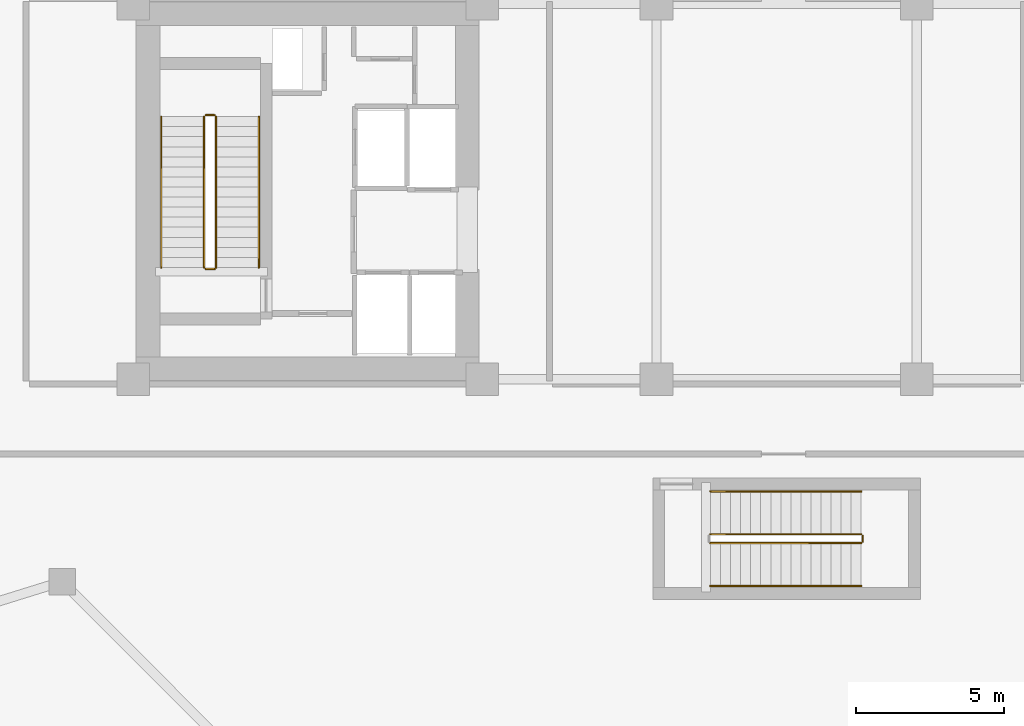
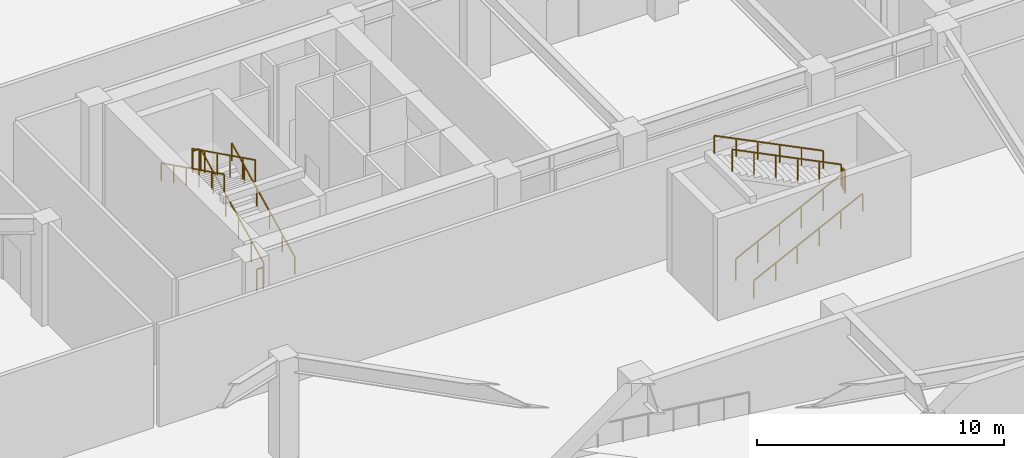
# One storey, part 10 of 11: 11 railings.
"""IFC4 building model written with IfcOpenShell, lengths in metres."""

from ifc_helpers import new_model, si_unit, direction, frame, origin, origin_2d, place, context, subcontext, project, spatial, rectangle, extrude, material, layer, layer_set, type_object, element, save


model = new_model("IFC4")

# Units and contexts
model_context = context("Model", 3, precision=1e-05, world=origin(), true_north=direction((0.0, 1.0)))
body_context = subcontext(model_context, "Body", "Model", "MODEL_VIEW")
ifc_project = project(units=[si_unit("LENGTHUNIT", "METRE"), si_unit("AREAUNIT", "SQUARE_METRE"), si_unit("VOLUMEUNIT", "CUBIC_METRE"), si_unit("PLANEANGLEUNIT", "RADIAN"), si_unit("MASSUNIT", "GRAM", prefix="KILO")], contexts=[model_context])

# Site, building, storey
site_placement = place(None, origin())
site = spatial("IfcSite", under=ifc_project, at=site_placement, CompositionType="ELEMENT")
building_placement = place(site_placement, origin())
building = spatial("IfcBuilding", under=site, at=building_placement, Name="Tavrogorsk Clinical Tower", CompositionType="ELEMENT")
storey_placement = place(building_placement, frame((0.0, 0.0, -5.39990234375)))
storey = spatial("IfcBuildingStorey", under=building, at=storey_placement, Name="B1", CompositionType="ELEMENT", Elevation=-5.39990234375)

# Railings
ifc_material_1 = material(Name="Galvanised steel S355 safety stairwell guard", Category="steel")
ifc_layer_1 = layer(ifc_material_1, 0.06005859375)
ifc_layer_set_1 = layer_set([ifc_layer_1], Name="Galvanised steel S355 safety stairwell guard")
railing_type_1 = type_object("IfcRailingType", Name="StairGuard_1150", PredefinedType="GUARDRAIL", material=ifc_layer_set_1)
railing_1_placement = place(storey_placement, frame((-19.300048828125, -2.574951171875, 0.168701171875)))
element("IfcRailing", 1, at=railing_1_placement, inside=storey, type_object=railing_type_1, Name="B1 ST-W stair guard 1", PredefinedType="GUARDRAIL", context=body_context, shape_type="SweptSolid", body=[
    extrude(rectangle(XDim=0.048095703125, YDim=0.048095703125, at=origin_2d()), frame((0.0, 0.0, 1.076171875), z_axis=(0.0, 0.895735491292, 0.444587370086), x_axis=(-1.0, 0.0, 0.0)), (0.0, 0.0, 1.0), 5.693603515625),
    extrude(rectangle(XDim=0.0419921875, YDim=0.0419921875, at=origin_2d()), origin(), (0.0, 0.0, 1.0), 1.052001953125),
    extrude(rectangle(XDim=0.0419921875, YDim=0.0419921875, at=origin_2d()), frame((0.0, 1.02001953125, 0.50634765625)), (0.0, 0.0, 1.0), 1.052001953125),
    extrude(rectangle(XDim=0.0419921875, YDim=0.0419921875, at=origin_2d()), frame((0.0, 2.0400390625, 1.012451171875)), (0.0, 0.0, 1.0), 1.052001953125),
    extrude(rectangle(XDim=0.0419921875, YDim=0.0419921875, at=origin_2d()), frame((0.0, 3.059814453125, 1.518798828125)), (0.0, 0.0, 1.0), 1.052001953125),
    extrude(rectangle(XDim=0.0419921875, YDim=0.0419921875, at=origin_2d()), frame((0.0, 4.079833984375, 2.02490234375)), (0.0, 0.0, 1.0), 1.052001953125),
    extrude(rectangle(XDim=0.0419921875, YDim=0.0419921875, at=origin_2d()), frame((0.0, 5.099853515625, 2.53125)), (0.0, 0.0, 1.0), 1.052001953125),
])
railing_2_placement = place(storey_placement, frame((-19.35009765625, 2.574951171875, 2.699951171875)))
element("IfcRailing", 2, at=railing_2_placement, inside=storey, type_object=railing_type_1, Name="B1 ST-W stair guard 2", PredefinedType="GUARDRAIL", context=body_context, shape_type="SweptSolid", body=[
    extrude(rectangle(XDim=0.048095703125, YDim=0.048095703125, at=origin_2d()), frame((0.0, 0.0, 1.076171875), z_axis=(-1.0, 0.0, 0.0), x_axis=(0.0, -1.0, 0.0)), (0.0, 0.0, 1.0), 0.2998046875),
    extrude(rectangle(XDim=0.0419921875, YDim=0.0419921875, at=origin_2d()), origin(), (0.0, 0.0, 1.0), 1.052001953125),
    extrude(rectangle(XDim=0.0419921875, YDim=0.0419921875, at=origin_2d()), frame((-0.2998046875, 0.0, 0.0)), (0.0, 0.0, 1.0), 1.052001953125),
])
railing_3_placement = place(storey_placement, frame((-19.699951171875, 2.52490234375, 2.86865234375)))
element("IfcRailing", 3, at=railing_3_placement, inside=storey, type_object=railing_type_1, Name="B1 ST-W stair guard 3", PredefinedType="GUARDRAIL", context=body_context, shape_type="SweptSolid", body=[
    extrude(rectangle(XDim=0.048095703125, YDim=0.048095703125, at=origin_2d()), frame((0.0, 0.0, 1.076171875), z_axis=(0.0, -0.895735491292, 0.444587370086), x_axis=(1.0, 0.0, 0.0)), (0.0, 0.0, 1.0), 5.693603515625),
    extrude(rectangle(XDim=0.0419921875, YDim=0.0419921875, at=origin_2d()), origin(), (0.0, 0.0, 1.0), 1.052001953125),
    extrude(rectangle(XDim=0.0419921875, YDim=0.0419921875, at=origin_2d()), frame((0.0, -1.02001953125, 0.50634765625)), (0.0, 0.0, 1.0), 1.052001953125),
    extrude(rectangle(XDim=0.0419921875, YDim=0.0419921875, at=origin_2d()), frame((0.0, -2.0400390625, 1.012451171875)), (0.0, 0.0, 1.0), 1.052001953125),
    extrude(rectangle(XDim=0.0419921875, YDim=0.0419921875, at=origin_2d()), frame((0.0, -3.059814453125, 1.518798828125)), (0.0, 0.0, 1.0), 1.052001953125),
    extrude(rectangle(XDim=0.0419921875, YDim=0.0419921875, at=origin_2d()), frame((0.0, -4.079833984375, 2.02490234375)), (0.0, 0.0, 1.0), 1.052001953125),
    extrude(rectangle(XDim=0.0419921875, YDim=0.0419921875, at=origin_2d()), frame((0.0, -5.099853515625, 2.53125)), (0.0, 0.0, 1.0), 1.052001953125),
])
railing_4_placement = place(storey_placement, frame((-19.35009765625, -2.625, 0.0)))
element("IfcRailing", 4, at=railing_4_placement, inside=storey, type_object=railing_type_1, Name="B1 ST-W stair guard 4", PredefinedType="GUARDRAIL", context=body_context, shape_type="SweptSolid", body=[
    extrude(rectangle(XDim=0.048095703125, YDim=0.048095703125, at=origin_2d()), frame((0.0, 0.0, 1.076171875), z_axis=(-1.0, 0.0, 0.0), x_axis=(0.0, -1.0, 0.0)), (0.0, 0.0, 1.0), 0.2998046875),
    extrude(rectangle(XDim=0.0419921875, YDim=0.0419921875, at=origin_2d()), origin(), (0.0, 0.0, 1.0), 1.052001953125),
    extrude(rectangle(XDim=0.0419921875, YDim=0.0419921875, at=origin_2d()), frame((-0.2998046875, 0.0, 0.0)), (0.0, 0.0, 1.0), 1.052001953125),
])
railing_5_placement = place(storey_placement, frame((-2.574951171875, -11.89990234375, 0.168701171875)))
element("IfcRailing", 5, at=railing_5_placement, inside=storey, type_object=railing_type_1, Name="B1 ST-P stair guard 1", PredefinedType="GUARDRAIL", context=body_context, shape_type="SweptSolid", body=[
    extrude(rectangle(XDim=0.048095703125, YDim=0.048095703125, at=origin_2d()), frame((0.0, 0.0, 1.076171875), z_axis=(0.895735491292, 0.0, 0.444587370086), x_axis=(0.0, 1.0, 0.0)), (0.0, 0.0, 1.0), 5.693603515625),
    extrude(rectangle(XDim=0.0419921875, YDim=0.0419921875, at=origin_2d()), origin(), (0.0, 0.0, 1.0), 1.052001953125),
    extrude(rectangle(XDim=0.0419921875, YDim=0.0419921875, at=origin_2d()), frame((1.02001953125, 0.0, 0.50634765625)), (0.0, 0.0, 1.0), 1.052001953125),
    extrude(rectangle(XDim=0.0419921875, YDim=0.0419921875, at=origin_2d()), frame((2.0400390625, 0.0, 1.012451171875)), (0.0, 0.0, 1.0), 1.052001953125),
    extrude(rectangle(XDim=0.0419921875, YDim=0.0419921875, at=origin_2d()), frame((3.059814453125, 0.0, 1.518798828125)), (0.0, 0.0, 1.0), 1.052001953125),
    extrude(rectangle(XDim=0.0419921875, YDim=0.0419921875, at=origin_2d()), frame((4.079833984375, 0.0, 2.02490234375)), (0.0, 0.0, 1.0), 1.052001953125),
    extrude(rectangle(XDim=0.0419921875, YDim=0.0419921875, at=origin_2d()), frame((5.099853515625, 0.0, 2.53125)), (0.0, 0.0, 1.0), 1.052001953125),
])
railing_6_placement = place(storey_placement, frame((2.574951171875, -11.85009765625, 2.699951171875)))
element("IfcRailing", 6, at=railing_6_placement, inside=storey, type_object=railing_type_1, Name="B1 ST-P stair guard 2", PredefinedType="GUARDRAIL", context=body_context, shape_type="SweptSolid", body=[
    extrude(rectangle(XDim=0.048095703125, YDim=0.048095703125, at=origin_2d()), frame((0.0, 0.0, 1.076171875), z_axis=(0.0, 1.0, 0.0), x_axis=(-1.0, 0.0, 0.0)), (0.0, 0.0, 1.0), 0.2001953125),
    extrude(rectangle(XDim=0.0419921875, YDim=0.0419921875, at=origin_2d()), origin(), (0.0, 0.0, 1.0), 1.052001953125),
    extrude(rectangle(XDim=0.0419921875, YDim=0.0419921875, at=origin_2d()), frame((0.0, 0.2001953125, 0.0)), (0.0, 0.0, 1.0), 1.052001953125),
])
railing_7_placement = place(storey_placement, frame((2.52490234375, -11.60009765625, 2.86865234375)))
element("IfcRailing", 7, at=railing_7_placement, inside=storey, type_object=railing_type_1, Name="B1 ST-P stair guard 3", PredefinedType="GUARDRAIL", context=body_context, shape_type="SweptSolid", body=[
    extrude(rectangle(XDim=0.048095703125, YDim=0.048095703125, at=origin_2d()), frame((0.0, 0.0, 1.076171875), z_axis=(-0.895735491292, 0.0, 0.444587370086), x_axis=(0.0, -1.0, 0.0)), (0.0, 0.0, 1.0), 5.693603515625),
    extrude(rectangle(XDim=0.0419921875, YDim=0.0419921875, at=origin_2d()), origin(), (0.0, 0.0, 1.0), 1.052001953125),
    extrude(rectangle(XDim=0.0419921875, YDim=0.0419921875, at=origin_2d()), frame((-1.02001953125, 0.0, 0.50634765625)), (0.0, 0.0, 1.0), 1.052001953125),
    extrude(rectangle(XDim=0.0419921875, YDim=0.0419921875, at=origin_2d()), frame((-2.0400390625, 0.0, 1.012451171875)), (0.0, 0.0, 1.0), 1.052001953125),
    extrude(rectangle(XDim=0.0419921875, YDim=0.0419921875, at=origin_2d()), frame((-3.059814453125, 0.0, 1.518798828125)), (0.0, 0.0, 1.0), 1.052001953125),
    extrude(rectangle(XDim=0.0419921875, YDim=0.0419921875, at=origin_2d()), frame((-4.079833984375, 0.0, 2.02490234375)), (0.0, 0.0, 1.0), 1.052001953125),
    extrude(rectangle(XDim=0.0419921875, YDim=0.0419921875, at=origin_2d()), frame((-5.099853515625, 0.0, 2.53125)), (0.0, 0.0, 1.0), 1.052001953125),
])
ifc_material_2 = material(Name="Stainless steel AISI 304 tubular handrail", Category="steel")
ifc_layer_2 = layer(ifc_material_2, 0.050048828125)
ifc_layer_set_2 = layer_set([ifc_layer_2], Name="Stainless steel AISI 304 tubular handrail")
railing_type_2 = type_object("IfcRailingType", Name="StairHandrail_920", PredefinedType="HANDRAIL", material=ifc_layer_set_2)
railing_8_placement = place(storey_placement, frame((-17.85009765625, -2.574951171875, 0.168701171875)))
element("IfcRailing", 8, at=railing_8_placement, inside=storey, type_object=railing_type_2, Name="B1 ST-W stair handrail 1", PredefinedType="HANDRAIL", context=body_context, shape_type="SweptSolid", body=[
    extrude(rectangle(XDim=0.048095703125, YDim=0.048095703125, at=origin_2d()), frame((0.0, 0.0, 0.8759765625), z_axis=(0.0, 0.895735491292, 0.444587370086), x_axis=(-1.0, 0.0, 0.0)), (0.0, 0.0, 1.0), 5.693603515625),
    extrude(rectangle(XDim=0.0419921875, YDim=0.0419921875, at=origin_2d()), origin(), (0.0, 0.0, 1.0), 0.851806640625),
    extrude(rectangle(XDim=0.0419921875, YDim=0.0419921875, at=origin_2d()), frame((0.0, 1.02001953125, 0.50634765625)), (0.0, 0.0, 1.0), 0.851806640625),
    extrude(rectangle(XDim=0.0419921875, YDim=0.0419921875, at=origin_2d()), frame((0.0, 2.0400390625, 1.012451171875)), (0.0, 0.0, 1.0), 0.851806640625),
    extrude(rectangle(XDim=0.0419921875, YDim=0.0419921875, at=origin_2d()), frame((0.0, 3.059814453125, 1.518798828125)), (0.0, 0.0, 1.0), 0.851806640625),
    extrude(rectangle(XDim=0.0419921875, YDim=0.0419921875, at=origin_2d()), frame((0.0, 4.079833984375, 2.02490234375)), (0.0, 0.0, 1.0), 0.851806640625),
    extrude(rectangle(XDim=0.0419921875, YDim=0.0419921875, at=origin_2d()), frame((0.0, 5.099853515625, 2.53125)), (0.0, 0.0, 1.0), 0.851806640625),
])
railing_9_placement = place(storey_placement, frame((-21.14990234375, 2.52490234375, 2.86865234375)))
element("IfcRailing", 9, at=railing_9_placement, inside=storey, type_object=railing_type_2, Name="B1 ST-W stair handrail 2", PredefinedType="HANDRAIL", context=body_context, shape_type="SweptSolid", body=[
    extrude(rectangle(XDim=0.048095703125, YDim=0.048095703125, at=origin_2d()), frame((0.0, 0.0, 0.8759765625), z_axis=(0.0, -0.895735491292, 0.444587370086), x_axis=(1.0, 0.0, 0.0)), (0.0, 0.0, 1.0), 5.693603515625),
    extrude(rectangle(XDim=0.0419921875, YDim=0.0419921875, at=origin_2d()), origin(), (0.0, 0.0, 1.0), 0.851806640625),
    extrude(rectangle(XDim=0.0419921875, YDim=0.0419921875, at=origin_2d()), frame((0.0, -1.02001953125, 0.50634765625)), (0.0, 0.0, 1.0), 0.851806640625),
    extrude(rectangle(XDim=0.0419921875, YDim=0.0419921875, at=origin_2d()), frame((0.0, -2.0400390625, 1.012451171875)), (0.0, 0.0, 1.0), 0.851806640625),
    extrude(rectangle(XDim=0.0419921875, YDim=0.0419921875, at=origin_2d()), frame((0.0, -3.059814453125, 1.518798828125)), (0.0, 0.0, 1.0), 0.851806640625),
    extrude(rectangle(XDim=0.0419921875, YDim=0.0419921875, at=origin_2d()), frame((0.0, -4.079833984375, 2.02490234375)), (0.0, 0.0, 1.0), 0.851806640625),
    extrude(rectangle(XDim=0.0419921875, YDim=0.0419921875, at=origin_2d()), frame((0.0, -5.099853515625, 2.53125)), (0.0, 0.0, 1.0), 0.851806640625),
])
railing_10_placement = place(storey_placement, frame((-2.574951171875, -13.35009765625, 0.168701171875)))
element("IfcRailing", 10, at=railing_10_placement, inside=storey, type_object=railing_type_2, Name="B1 ST-P stair handrail 1", PredefinedType="HANDRAIL", context=body_context, shape_type="SweptSolid", body=[
    extrude(rectangle(XDim=0.048095703125, YDim=0.048095703125, at=origin_2d()), frame((0.0, 0.0, 0.8759765625), z_axis=(0.895735491292, 0.0, 0.444587370086), x_axis=(0.0, 1.0, 0.0)), (0.0, 0.0, 1.0), 5.693603515625),
    extrude(rectangle(XDim=0.0419921875, YDim=0.0419921875, at=origin_2d()), origin(), (0.0, 0.0, 1.0), 0.851806640625),
    extrude(rectangle(XDim=0.0419921875, YDim=0.0419921875, at=origin_2d()), frame((1.02001953125, 0.0, 0.50634765625)), (0.0, 0.0, 1.0), 0.851806640625),
    extrude(rectangle(XDim=0.0419921875, YDim=0.0419921875, at=origin_2d()), frame((2.0400390625, 0.0, 1.012451171875)), (0.0, 0.0, 1.0), 0.851806640625),
    extrude(rectangle(XDim=0.0419921875, YDim=0.0419921875, at=origin_2d()), frame((3.059814453125, 0.0, 1.518798828125)), (0.0, 0.0, 1.0), 0.851806640625),
    extrude(rectangle(XDim=0.0419921875, YDim=0.0419921875, at=origin_2d()), frame((4.079833984375, 0.0, 2.02490234375)), (0.0, 0.0, 1.0), 0.851806640625),
    extrude(rectangle(XDim=0.0419921875, YDim=0.0419921875, at=origin_2d()), frame((5.099853515625, 0.0, 2.53125)), (0.0, 0.0, 1.0), 0.851806640625),
])
railing_11_placement = place(storey_placement, frame((2.52490234375, -10.14990234375, 2.86865234375)))
element("IfcRailing", 11, at=railing_11_placement, inside=storey, type_object=railing_type_2, Name="B1 ST-P stair handrail 2", PredefinedType="HANDRAIL", context=body_context, shape_type="SweptSolid", body=[
    extrude(rectangle(XDim=0.048095703125, YDim=0.048095703125, at=origin_2d()), frame((0.0, 0.0, 0.8759765625), z_axis=(-0.895735491292, 0.0, 0.444587370086), x_axis=(0.0, -1.0, 0.0)), (0.0, 0.0, 1.0), 5.693603515625),
    extrude(rectangle(XDim=0.0419921875, YDim=0.0419921875, at=origin_2d()), origin(), (0.0, 0.0, 1.0), 0.851806640625),
    extrude(rectangle(XDim=0.0419921875, YDim=0.0419921875, at=origin_2d()), frame((-1.02001953125, 0.0, 0.50634765625)), (0.0, 0.0, 1.0), 0.851806640625),
    extrude(rectangle(XDim=0.0419921875, YDim=0.0419921875, at=origin_2d()), frame((-2.0400390625, 0.0, 1.012451171875)), (0.0, 0.0, 1.0), 0.851806640625),
    extrude(rectangle(XDim=0.0419921875, YDim=0.0419921875, at=origin_2d()), frame((-3.059814453125, 0.0, 1.518798828125)), (0.0, 0.0, 1.0), 0.851806640625),
    extrude(rectangle(XDim=0.0419921875, YDim=0.0419921875, at=origin_2d()), frame((-4.079833984375, 0.0, 2.02490234375)), (0.0, 0.0, 1.0), 0.851806640625),
    extrude(rectangle(XDim=0.0419921875, YDim=0.0419921875, at=origin_2d()), frame((-5.099853515625, 0.0, 2.53125)), (0.0, 0.0, 1.0), 0.851806640625),
])

save(model, "model.ifc")
